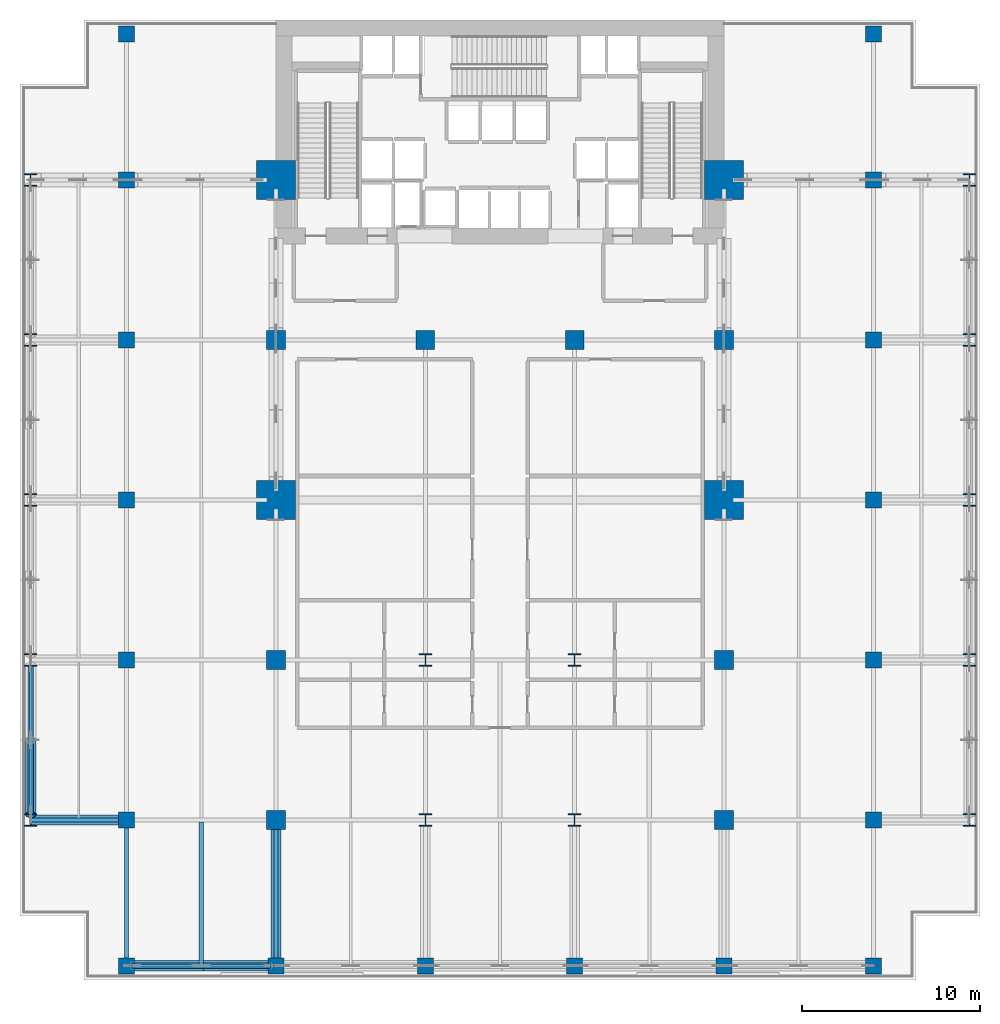
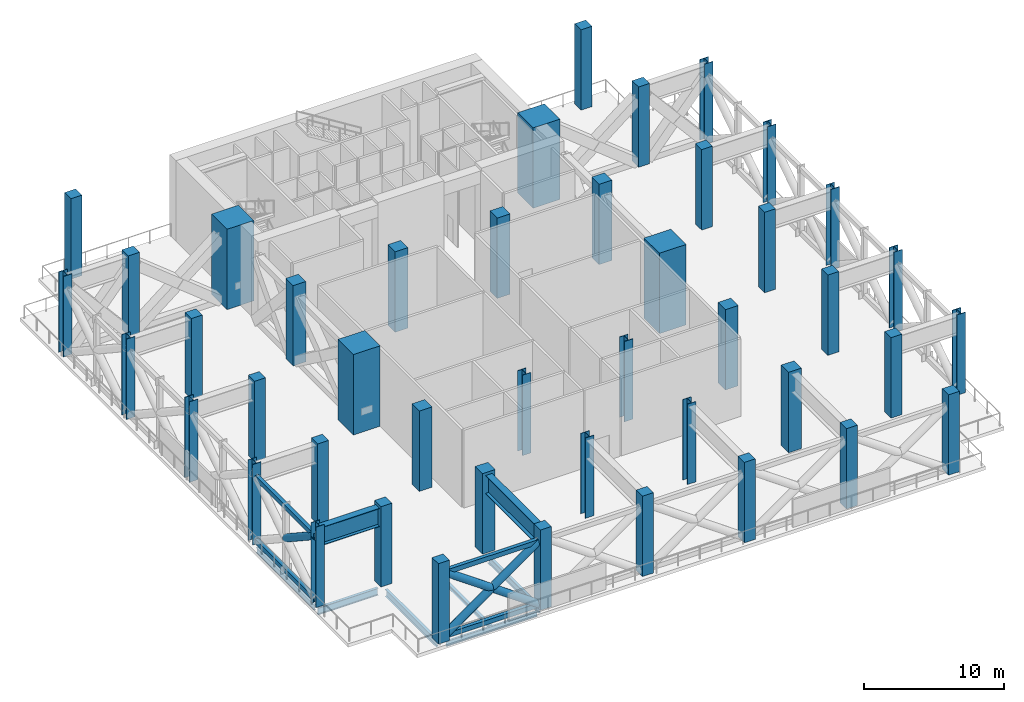
# One storey, part 1 of 16: 44 columns, 8 beams, 8 members.
"""IFC4 building model written with IfcOpenShell, lengths in metres."""

from ifc_helpers import new_model, si_unit, direction, frame, origin, origin_2d, place, context, subcontext, project, spatial, rectangle, hollow_rectangle, hollow_circle, i_section, extrude, material, material_profile, profile_set, type_object, element, save


model = new_model("IFC4")

# Units and contexts
model_context = context("Model", 3, precision=1e-05, world=origin(), true_north=direction((0.0, 1.0)))
body_context = subcontext(model_context, "Body", "Model", "MODEL_VIEW")
ifc_project = project(units=[si_unit("LENGTHUNIT", "METRE"), si_unit("AREAUNIT", "SQUARE_METRE"), si_unit("VOLUMEUNIT", "CUBIC_METRE"), si_unit("PLANEANGLEUNIT", "RADIAN"), si_unit("MASSUNIT", "GRAM", prefix="KILO")], contexts=[model_context])

# Site, building, storey
site_placement = place(None, origin())
site = spatial("IfcSite", under=ifc_project, at=site_placement, CompositionType="ELEMENT")
building_placement = place(site_placement, origin())
building = spatial("IfcBuilding", under=site, at=building_placement, Name="Maruvema Waterfront Hotel and Observation Tower", CompositionType="ELEMENT")
storey_placement = place(building_placement, frame((0.0, 0.0, 115.5)))
storey = spatial("IfcBuildingStorey", under=building, at=storey_placement, Name="L28", CompositionType="ELEMENT", Elevation=115.5)

# Columns
ifc_material_1 = material(Name="Concrete C80/95", Category="concrete")
ifc_material_profile_1 = material_profile(ifc_material_1, rectangle(XDim=2.199951171875, YDim=2.199951171875, at=origin_2d()), Name="MC2200x2200")
ifc_profile_set_1 = profile_set([ifc_material_profile_1], Name="Concrete C80/95")
column_type_1 = type_object("IfcColumnType", Name="Continuous Mega-Column MC2200x2200", PredefinedType="COLUMN", material=ifc_profile_set_1)
for number, where, z_axis, x_axis, name in (
    (1, (25.199951171875, 27.0, 0.0), (0.0, 0.0, 1.0), (1.0, 0.0, 0.0), "L28 Continuous Mega-Column MC-01"),
    (2, (50.39990234375, 27.0, 0.0), (0.0, 0.0, 1.0), (1.0, 0.0, 0.0), "L28 Continuous Mega-Column MC-02"),
    (3, (25.199951171875, 45.0, 0.0), (0.0, 0.0, 1.0), (1.0, 0.0, 0.0), "L28 Continuous Mega-Column MC-03"),
    (4, (50.39990234375, 45.0, 0.0), (0.0, 0.0, 1.0), (1.0, 0.0, 0.0), "L28 Continuous Mega-Column MC-04"),
):
    element("IfcColumn", number, at=place(storey_placement, frame(where, z_axis=z_axis, x_axis=x_axis)), inside=storey, type_object=column_type_1, Name=name, PredefinedType="COLUMN", context=body_context, shape_type="SweptSolid", body=[
        extrude(rectangle(XDim=2.199951171875, YDim=2.199951171875, at=origin_2d()), origin(), (0.0, 0.0, 1.0), 7.0),
    ])
ifc_material_2 = material(Name="Concrete C60/75", Category="concrete")
ifc_material_profile_2 = material_profile(ifc_material_2, rectangle(XDim=1.050048828125, YDim=1.050048828125, at=origin_2d()), Name="RC1050x1050")
ifc_profile_set_2 = profile_set([ifc_material_profile_2], Name="Concrete C60/75")
column_type_2 = type_object("IfcColumnType", Name="Reinforced Concrete Column RC1050x1050", PredefinedType="COLUMN", material=ifc_profile_set_2)
for number, where, z_axis, x_axis, name in (
    (5, (25.199951171875, 36.0, 0.0), (0.0, 0.0, 1.0), (1.0, 0.0, 0.0), "L28 Column C-4E"),
    (6, (33.60009765625, 36.0, 0.0), (0.0, 0.0, 1.0), (1.0, 0.0, 0.0), "L28 Column C-5E"),
    (7, (42.0, 36.0, 0.0), (0.0, 0.0, 1.0), (1.0, 0.0, 0.0), "L28 Column C-6E"),
    (8, (50.39990234375, 36.0, 0.0), (0.0, 0.0, 1.0), (1.0, 0.0, 0.0), "L28 Column C-7E"),
    (9, (25.199951171875, 18.0, 0.0), (0.0, 0.0, 1.0), (1.0, 0.0, 0.0), "L28 Column C-4C"),
    (10, (50.39990234375, 18.0, 0.0), (0.0, 0.0, 1.0), (1.0, 0.0, 0.0), "L28 Column C-7C"),
    (11, (25.199951171875, 9.0, 0.0), (0.0, 0.0, 1.0), (1.0, 0.0, 0.0), "L28 Column C-4B"),
    (12, (50.39990234375, 9.0, 0.0), (0.0, 0.0, 1.0), (1.0, 0.0, 0.0), "L28 Column C-7B"),
):
    element("IfcColumn", number, at=place(storey_placement, frame(where, z_axis=z_axis, x_axis=x_axis)), inside=storey, type_object=column_type_2, Name=name, PredefinedType="COLUMN", context=body_context, shape_type="SweptSolid", body=[
        extrude(rectangle(XDim=1.050048828125, YDim=1.050048828125, at=origin_2d()), origin(), (0.0, 0.0, 1.0), 7.0),
    ])
ifc_material_3 = material(Name="Concrete C60/75", Category="concrete")
ifc_material_profile_3 = material_profile(ifc_material_3, rectangle(XDim=0.89990234375, YDim=0.89990234375, at=origin_2d()), Name="RC900x900")
ifc_profile_set_3 = profile_set([ifc_material_profile_3], Name="Concrete C60/75")
column_type_3 = type_object("IfcColumnType", Name="Reinforced Concrete Column RC900x900", PredefinedType="COLUMN", material=ifc_profile_set_3)
for number, where, z_axis, x_axis, name in (
    (13, (16.800048828125, 9.0, 0.0), (0.0, 0.0, 1.0), (1.0, 0.0, 0.0), "L28 Column C-3Y9"),
    (14, (58.800048828125, 9.0, 0.0), (0.0, 0.0, 1.0), (1.0, 0.0, 0.0), "L28 Column C-8Y9"),
    (15, (16.800048828125, 18.0, 0.0), (0.0, 0.0, 1.0), (1.0, 0.0, 0.0), "L28 Column C-3Y18"),
    (16, (58.800048828125, 18.0, 0.0), (0.0, 0.0, 1.0), (1.0, 0.0, 0.0), "L28 Column C-8Y18"),
    (17, (16.800048828125, 27.0, 0.0), (0.0, 0.0, 1.0), (1.0, 0.0, 0.0), "L28 Column C-3Y27"),
    (18, (58.800048828125, 27.0, 0.0), (0.0, 0.0, 1.0), (1.0, 0.0, 0.0), "L28 Column C-8Y27"),
    (19, (16.800048828125, 36.0, 0.0), (0.0, 0.0, 1.0), (1.0, 0.0, 0.0), "L28 Column C-3Y36"),
    (20, (58.800048828125, 36.0, 0.0), (0.0, 0.0, 1.0), (1.0, 0.0, 0.0), "L28 Column C-8Y36"),
    (21, (16.800048828125, 45.0, 0.0), (0.0, 0.0, 1.0), (1.0, 0.0, 0.0), "L28 Column C-3Y45"),
    (22, (58.800048828125, 45.0, 0.0), (0.0, 0.0, 1.0), (1.0, 0.0, 0.0), "L28 Column C-8Y45"),
    (23, (16.800048828125, 0.800048828125, 0.0), (0.0, 0.0, 1.0), (1.0, 0.0, 0.0), "L28 Column C-3A"),
    (24, (25.199951171875, 0.800048828125, 0.0), (0.0, 0.0, 1.0), (1.0, 0.0, 0.0), "L28 Column C-4A"),
    (25, (33.60009765625, 0.800048828125, 0.0), (0.0, 0.0, 1.0), (1.0, 0.0, 0.0), "L28 Column C-5A"),
    (26, (42.0, 0.800048828125, 0.0), (0.0, 0.0, 1.0), (1.0, 0.0, 0.0), "L28 Column C-6A"),
    (27, (50.39990234375, 0.800048828125, 0.0), (0.0, 0.0, 1.0), (1.0, 0.0, 0.0), "L28 Column C-7A"),
    (28, (58.800048828125, 0.800048828125, 0.0), (0.0, 0.0, 1.0), (1.0, 0.0, 0.0), "L28 Column C-8A"),
    (29, (16.800048828125, 53.199951171875, 0.0), (0.0, 0.0, 1.0), (1.0, 0.0, 0.0), "L28 Column C-3G"),
    (30, (58.800048828125, 53.199951171875, 0.0), (0.0, 0.0, 1.0), (1.0, 0.0, 0.0), "L28 Column C-8G"),
):
    element("IfcColumn", number, at=place(storey_placement, frame(where, z_axis=z_axis, x_axis=x_axis)), inside=storey, type_object=column_type_3, Name=name, PredefinedType="COLUMN", context=body_context, shape_type="SweptSolid", body=[
        extrude(rectangle(XDim=0.89990234375, YDim=0.89990234375, at=origin_2d()), origin(), (0.0, 0.0, 1.0), 7.0),
    ])
ifc_material_4 = material(Name="Steel ABNT NBR 7007 AR 415 (ASTM A572 Grade 50)", Category="steel")
ifc_material_profile_4 = material_profile(ifc_material_4, i_section(OverallWidth=0.699951171875, OverallDepth=0.699951171875, WebThickness=0.028076171875, FlangeThickness=0.0439453125, at=origin_2d()), Name="CVS700x436")
ifc_profile_set_4 = profile_set([ifc_material_profile_4], Name="Steel ABNT NBR 7007 AR 415 (ASTM A572 Grade 50)")
column_type_4 = type_object("IfcColumnType", Name="Structural Steel Column CVS700x436", PredefinedType="COLUMN", material=ifc_profile_set_4)
for number, where, z_axis, x_axis, name in (
    (31, (33.60009765625, 9.0, 0.0), (0.0, 0.0, 1.0), (1.0, 0.0, 0.0), "L28 Column C-5B"),
    (32, (42.0, 9.0, 0.0), (0.0, 0.0, 1.0), (1.0, 0.0, 0.0), "L28 Column C-6B"),
    (33, (33.60009765625, 18.0, 0.0), (0.0, 0.0, 1.0), (1.0, 0.0, 0.0), "L28 Column C-5C"),
    (34, (42.0, 18.0, 0.0), (0.0, 0.0, 1.0), (1.0, 0.0, 0.0), "L28 Column C-6C"),
    (35, (11.39990234375, 9.0, 0.0), (0.0, 0.0, 1.0), (1.0, 0.0, 0.0), "L28 Column C-Z1W9"),
    (36, (64.199951171875, 9.0, 0.0), (0.0, 0.0, 1.0), (1.0, 0.0, 0.0), "L28 Column C-Z1E9"),
    (37, (11.39990234375, 18.0, 0.0), (0.0, 0.0, 1.0), (1.0, 0.0, 0.0), "L28 Column C-Z1W18"),
    (38, (64.199951171875, 18.0, 0.0), (0.0, 0.0, 1.0), (1.0, 0.0, 0.0), "L28 Column C-Z1E18"),
    (39, (11.39990234375, 27.0, 0.0), (0.0, 0.0, 1.0), (1.0, 0.0, 0.0), "L28 Column C-Z1W27"),
    (40, (64.199951171875, 27.0, 0.0), (0.0, 0.0, 1.0), (1.0, 0.0, 0.0), "L28 Column C-Z1E27"),
    (41, (11.39990234375, 36.0, 0.0), (0.0, 0.0, 1.0), (1.0, 0.0, 0.0), "L28 Column C-Z1W36"),
    (42, (64.199951171875, 36.0, 0.0), (0.0, 0.0, 1.0), (1.0, 0.0, 0.0), "L28 Column C-Z1E36"),
    (43, (11.39990234375, 45.0, 0.0), (0.0, 0.0, 1.0), (1.0, 0.0, 0.0), "L28 Column C-Z1W45"),
    (44, (64.199951171875, 45.0, 0.0), (0.0, 0.0, 1.0), (1.0, 0.0, 0.0), "L28 Column C-Z1E45"),
):
    element("IfcColumn", number, at=place(storey_placement, frame(where, z_axis=z_axis, x_axis=x_axis)), inside=storey, type_object=column_type_4, Name=name, PredefinedType="COLUMN", context=body_context, shape_type="SweptSolid", body=[
        extrude(i_section(OverallWidth=0.699951171875, OverallDepth=0.699951171875, WebThickness=0.028076171875, FlangeThickness=0.0439453125, at=origin_2d()), origin(), (0.0, 0.0, 1.0), 7.0),
    ])

# Members
ifc_material_5 = material(Name="Steel ABNT NBR 7007 AR 415 (ASTM A572 Grade 50)", Category="steel")
ifc_material_profile_5 = material_profile(ifc_material_5, hollow_rectangle(XDim=0.300048828125, YDim=0.39990234375, WallThickness=0.02001953125, at=origin_2d()), Name="RHS400x300x20.0")
ifc_profile_set_5 = profile_set([ifc_material_profile_5], Name="Steel ABNT NBR 7007 AR 415 (ASTM A572 Grade 50)")
member_type_1 = type_object("IfcMemberType", Name="Perimeter Belt Truss Chord RHS400x300x20.0", PredefinedType="CHORD", material=ifc_profile_set_5)
for number, where, z_axis, x_axis, name in (
    (45, (11.39990234375, 9.300048828125, 0.25), (0.0, 1.0, 0.0), (-1.0, 0.0, 0.0), "L28 Perimeter Belt Truss Chord W1"),
    (46, (11.39990234375, 9.300048828125, 5.780029296875), (0.0, 1.0, 0.0), (-1.0, 0.0, 0.0), "L28 Perimeter Belt Truss Top Chord W1"),
):
    element("IfcMember", number, at=place(storey_placement, frame(where, z_axis=z_axis, x_axis=x_axis)), inside=storey, type_object=member_type_1, Name=name, PredefinedType="CHORD", context=body_context, shape_type="SweptSolid", body=[
        extrude(hollow_rectangle(XDim=0.300048828125, YDim=0.39990234375, WallThickness=0.02001953125, at=origin_2d()), origin(), (0.0, 0.0, 1.0), 8.39990234375),
    ])
for number, where, z_axis, x_axis, name in (
    (47, (17.10009765625, 0.800048828125, 0.25), (1.0, 0.0, 0.0), (0.0, 1.0, 0.0), "L28 South Perimeter Belt Truss Chord 1"),
    (48, (17.10009765625, 0.800048828125, 5.780029296875), (1.0, 0.0, 0.0), (0.0, 1.0, 0.0), "L28 South Perimeter Belt Truss Top Chord 1"),
):
    element("IfcMember", number, at=place(storey_placement, frame(where, z_axis=z_axis, x_axis=x_axis)), inside=storey, type_object=member_type_1, Name=name, PredefinedType="CHORD", context=body_context, shape_type="SweptSolid", body=[
        extrude(hollow_rectangle(XDim=0.300048828125, YDim=0.39990234375, WallThickness=0.02001953125, at=origin_2d()), origin(), (0.0, 0.0, 1.0), 7.7998046875),
    ])
ifc_material_6 = material(Name="Steel ABNT NBR 7007 AR 350 (ASTM A572 Grade 50)", Category="steel")
ifc_material_profile_6 = material_profile(ifc_material_6, hollow_circle(Radius=0.304931640625, WallThickness=0.02490234375, at=origin_2d()), Name="CHS610.0x25.0")
ifc_profile_set_6 = profile_set([ifc_material_profile_6], Name="Steel ABNT NBR 7007 AR 350 (ASTM A572 Grade 50)")
member_type_2 = type_object("IfcMemberType", Name="Perimeter Belt Truss Diagonal CHS610.0x25.0", PredefinedType="BRACE", material=ifc_profile_set_6)
member_1_placement = place(storey_placement, frame((11.39990234375, 13.4833984375, 3.02587890625), z_axis=(0.0, -0.835238575042, 0.549887736507), x_axis=(1.0, 0.0, 0.0)))
element("IfcMember", 49, at=member_1_placement, inside=storey, type_object=member_type_2, Name="L28 Perimeter Belt Truss Diagonal W1 Split Upper B2", PredefinedType="BRACE", context=body_context, shape_type="SweptSolid", body=[
    extrude(hollow_circle(Radius=0.304931640625, WallThickness=0.02490234375, at=origin_2d()), origin(), (0.0, 0.0, 1.0), 5.008544921875),
])
member_2_placement = place(storey_placement, frame((17.10009765625, 0.800048828125, 0.25), z_axis=(0.815769472116, 0.0, 0.578377185204), x_axis=(0.0, 1.0, 0.0)))
element("IfcMember", 50, at=member_2_placement, inside=storey, type_object=member_type_2, Name="L28 South Perimeter Belt Truss Diagonal 1 Continuous A", PredefinedType="BRACE", context=body_context, shape_type="SweptSolid", body=[
    extrude(hollow_circle(Radius=0.304931640625, WallThickness=0.02490234375, at=origin_2d()), origin(), (0.0, 0.0, 1.0), 9.561279296875),
])
for number, where, z_axis, x_axis, name in (
    (51, (24.89990234375, 0.800048828125, 0.25), (-0.815769406223, 0.0, 0.578377278141), (0.0, -1.0, 0.0), "L28 South Perimeter Belt Truss Diagonal 1 Split Lower B1"),
    (52, (20.983642578125, 0.800048828125, 3.026611328125), (-0.815769406223, 0.0, 0.578377278141), (0.0, -1.0, 0.0), "L28 South Perimeter Belt Truss Diagonal 1 Split Upper B2"),
):
    element("IfcMember", number, at=place(storey_placement, frame(where, z_axis=z_axis, x_axis=x_axis)), inside=storey, type_object=member_type_2, Name=name, PredefinedType="BRACE", context=body_context, shape_type="SweptSolid", body=[
        extrude(hollow_circle(Radius=0.304931640625, WallThickness=0.02490234375, at=origin_2d()), origin(), (0.0, 0.0, 1.0), 4.760498046875),
    ])

# Beams
ifc_material_7 = material(Name="Steel ASTM A572 Grade 50", Category="steel")
ifc_material_profile_7 = material_profile(ifc_material_7, i_section(OverallWidth=0.153076171875, OverallDepth=0.455078125, WebThickness=0.008056640625, FlangeThickness=0.01318359375, FilletRadius=0.014892578125, at=origin_2d()), Name="W460x60.0")
ifc_profile_set_7 = profile_set([ifc_material_profile_7], Name="Steel ASTM A572 Grade 50")
beam_type_1 = type_object("IfcBeamType", Name="Perimeter Spandrel Beam W460x60.0", PredefinedType="SPANDREL", material=ifc_profile_set_7)
beam_1_placement = place(storey_placement, frame((17.25, 0.800048828125, -0.527587890625), z_axis=(1.0, 0.0, 0.0), x_axis=(0.0, 1.0, 0.0)))
element("IfcBeam", 53, at=beam_1_placement, inside=storey, type_object=beam_type_1, Name="L28 Floor Girder EW-01", PredefinedType="SPANDREL", context=body_context, shape_type="SweptSolid", body=[
    extrude(i_section(OverallWidth=0.153076171875, OverallDepth=0.455078125, WebThickness=0.008056640625, FlangeThickness=0.01318359375, FilletRadius=0.014892578125, at=origin_2d()), origin(), (0.0, 0.0, 1.0), 7.5),
])
beam_2_placement = place(storey_placement, frame((11.39990234375, 9.35009765625, -0.527587890625), z_axis=(0.0, 1.0, 0.0), x_axis=(-1.0, 0.0, 0.0)))
element("IfcBeam", 54, at=beam_2_placement, inside=storey, type_object=beam_type_1, Name="L28 Floor Girder NS-01", PredefinedType="SPANDREL", context=body_context, shape_type="SweptSolid", body=[
    extrude(i_section(OverallWidth=0.153076171875, OverallDepth=0.455078125, WebThickness=0.008056640625, FlangeThickness=0.01318359375, FilletRadius=0.014892578125, at=origin_2d()), origin(), (0.0, 0.0, 1.0), 8.2998046875),
])
ifc_material_8 = material(Name="Steel ASTM A572 Grade 50", Category="steel")
ifc_material_profile_8 = material_profile(ifc_material_8, i_section(OverallWidth=0.22900390625, OverallDepth=0.612060546875, WebThickness=0.011962890625, FlangeThickness=0.01953125, FilletRadius=0.01806640625, at=origin_2d()), Name="W610x125.0")
ifc_profile_set_8 = profile_set([ifc_material_profile_8], Name="Steel ASTM A572 Grade 50")
beam_type_2 = type_object("IfcBeamType", Name="Primary Floor Girder W610x125.0", PredefinedType="BEAM", material=ifc_profile_set_8)
beam_3_placement = place(storey_placement, frame((11.4140625, 9.0, -0.60595703125), z_axis=(1.0, 0.0, 0.0), x_axis=(0.0, 1.0, 0.0)))
element("IfcBeam", 55, at=beam_3_placement, inside=storey, type_object=beam_type_2, Name="L28 Floor Girder EW-06", PredefinedType="BEAM", context=body_context, shape_type="SweptSolid", body=[
    extrude(i_section(OverallWidth=0.22900390625, OverallDepth=0.612060546875, WebThickness=0.011962890625, FlangeThickness=0.01953125, FilletRadius=0.01806640625, at=origin_2d()), origin(), (0.0, 0.0, 1.0), 4.93603515625),
])
beam_4_placement = place(storey_placement, frame((16.800048828125, 1.25, -0.60595703125), z_axis=(0.0, 1.0, 0.0), x_axis=(-1.0, 0.0, 0.0)))
element("IfcBeam", 56, at=beam_4_placement, inside=storey, type_object=beam_type_2, Name="L28 Floor Girder NS-05", PredefinedType="BEAM", context=body_context, shape_type="SweptSolid", body=[
    extrude(i_section(OverallWidth=0.22900390625, OverallDepth=0.612060546875, WebThickness=0.011962890625, FlangeThickness=0.01953125, FilletRadius=0.01806640625, at=origin_2d()), origin(), (0.0, 0.0, 1.0), 7.300048828125),
])
beam_5_placement = place(storey_placement, frame((25.199951171875, 1.25, -0.60595703125), z_axis=(0.0, 1.0, 0.0), x_axis=(-1.0, 0.0, 0.0)))
element("IfcBeam", 57, at=beam_5_placement, inside=storey, type_object=beam_type_2, Name="L28 Floor Girder NS-11", PredefinedType="BEAM", context=body_context, shape_type="SweptSolid", body=[
    extrude(i_section(OverallWidth=0.22900390625, OverallDepth=0.612060546875, WebThickness=0.011962890625, FlangeThickness=0.01953125, FilletRadius=0.01806640625, at=origin_2d()), origin(), (0.0, 0.0, 1.0), 7.22509765625),
])
ifc_material_9 = material(Name="Steel ASTM A572 Grade 50", Category="steel")
ifc_material_profile_9 = material_profile(ifc_material_9, i_section(OverallWidth=0.25390625, OverallDepth=0.305908203125, WebThickness=0.0087890625, FlangeThickness=0.0146484375, FilletRadius=0.014892578125, at=origin_2d()), Name="W310x79.0")
ifc_profile_set_9 = profile_set([ifc_material_profile_9], Name="Steel ASTM A572 Grade 50")
beam_type_3 = type_object("IfcBeamType", Name="Secondary Floor Joist W310x79.0", PredefinedType="JOIST", material=ifc_profile_set_9)
beam_6_placement = place(storey_placement, frame((21.0, 0.87646484375, -0.452880859375), z_axis=(0.0, 1.0, 0.0), x_axis=(-1.0, 0.0, 0.0)))
element("IfcBeam", 58, at=beam_6_placement, inside=storey, type_object=beam_type_3, Name="L28 Secondary Floor Joist JS-05", PredefinedType="JOIST", context=body_context, shape_type="SweptSolid", body=[
    extrude(i_section(OverallWidth=0.25390625, OverallDepth=0.305908203125, WebThickness=0.0087890625, FlangeThickness=0.0146484375, FilletRadius=0.014892578125, at=origin_2d()), origin(), (0.0, 0.0, 1.0), 8.009033203125),
])
ifc_material_10 = material(Name="Steel ABNT NBR 7007 AR 415 (ASTM A572 Grade 50)", Category="steel")
ifc_material_profile_10 = material_profile(ifc_material_10, i_section(OverallWidth=0.550048828125, OverallDepth=1.60009765625, WebThickness=0.02197265625, FlangeThickness=0.0400390625, at=origin_2d()), Name="VS1600x548")
ifc_profile_set_10 = profile_set([ifc_material_profile_10], Name="Steel ABNT NBR 7007 AR 415 (ASTM A572 Grade 50)")
beam_type_4 = type_object("IfcBeamType", Name="Setback Transfer Girder VS1600x548", PredefinedType="USERDEFINED", material=ifc_profile_set_10)
beam_7_placement = place(storey_placement, frame((11.4140625, 9.0, 5.9599609375), z_axis=(1.0, 0.0, 0.0), x_axis=(0.0, 1.0, 0.0)))
element("IfcBeam", 59, at=beam_7_placement, inside=storey, type_object=beam_type_4, Name="L28 Setback Transfer Girder W Y=9.0m", ObjectType="TRANSFER GIRDER", PredefinedType="USERDEFINED", context=body_context, shape_type="SweptSolid", body=[
    extrude(i_section(OverallWidth=0.550048828125, OverallDepth=1.60009765625, WebThickness=0.02197265625, FlangeThickness=0.0400390625, at=origin_2d()), origin(), (0.0, 0.0, 1.0), 4.93603515625),
])
beam_8_placement = place(storey_placement, frame((25.199951171875, 1.25, 5.9599609375), z_axis=(0.0, 1.0, 0.0), x_axis=(-1.0, 0.0, 0.0)))
element("IfcBeam", 60, at=beam_8_placement, inside=storey, type_object=beam_type_4, Name="L28 South Setback Transfer Girder X=25.2m", ObjectType="TRANSFER GIRDER", PredefinedType="USERDEFINED", context=body_context, shape_type="SweptSolid", body=[
    extrude(i_section(OverallWidth=0.550048828125, OverallDepth=1.60009765625, WebThickness=0.02197265625, FlangeThickness=0.0400390625, at=origin_2d()), origin(), (0.0, 0.0, 1.0), 7.22509765625),
])

save(model, "model.ifc")
